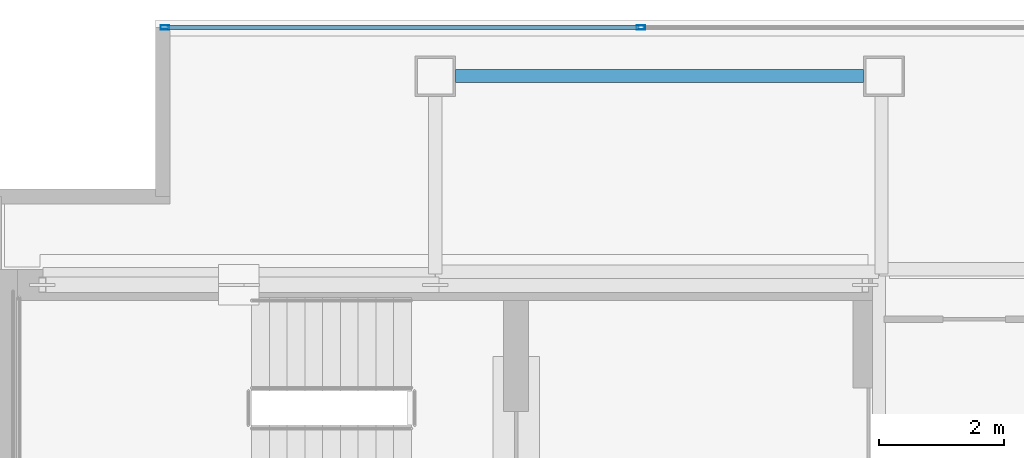
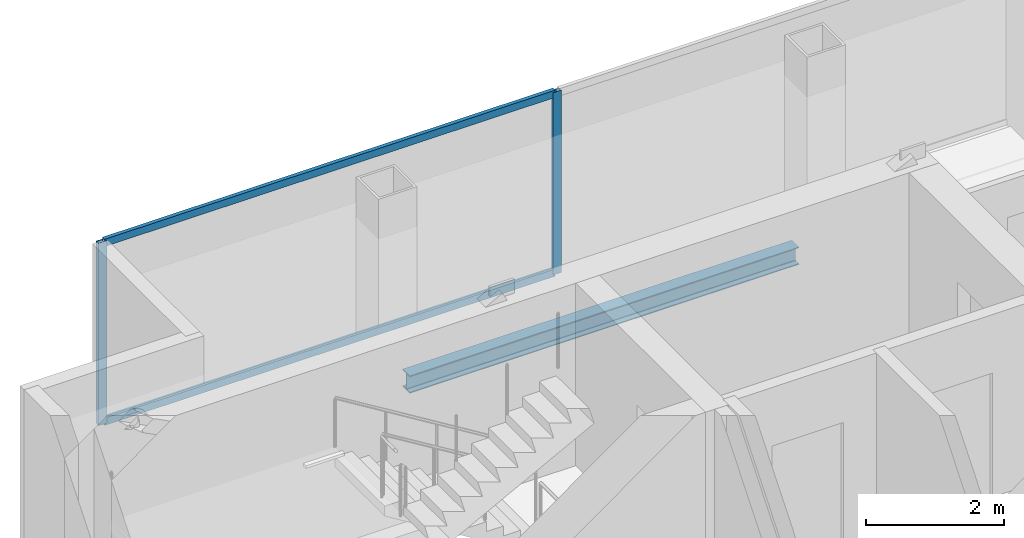
# One storey, part 17 of 23: 4 members, 1 beam, 1 element without a shape of its own.
"""IFC4 building model written with IfcOpenShell, lengths in metres."""

from ifc_helpers import new_model, si_unit, direction, frame, origin, origin_2d, place, context, subcontext, project, spatial, hollow_rectangle, i_section, extrude, material, material_profile, profile_set, type_object, element, aggregate, save


model = new_model("IFC4")

# Units and contexts
model_context = context("Model", 3, precision=1e-05, world=origin(), true_north=direction((0.0, 1.0)))
body_context = subcontext(model_context, "Body", "Model", "MODEL_VIEW")
ifc_project = project(units=[si_unit("LENGTHUNIT", "METRE"), si_unit("AREAUNIT", "SQUARE_METRE"), si_unit("VOLUMEUNIT", "CUBIC_METRE"), si_unit("PLANEANGLEUNIT", "RADIAN"), si_unit("MASSUNIT", "GRAM", prefix="KILO")], contexts=[model_context])

# Site, building, storey
site_placement = place(None, origin())
site = spatial("IfcSite", under=ifc_project, at=site_placement, CompositionType="ELEMENT")
building_placement = place(site_placement, origin())
building = spatial("IfcBuilding", under=site, at=building_placement, Name="Cobrela Telecom Tower", CompositionType="ELEMENT")
storey_placement = place(building_placement, frame((0.0, 0.0, 286.64990234375)))
storey = spatial("IfcBuildingStorey", under=building, at=storey_placement, Name="L75", CompositionType="ELEMENT", Elevation=286.64990234375)

# Beam
ifc_material_1 = material(Name="Steel ASTM A992 Grade 50", Category="steel")
ifc_material_profile_1 = material_profile(ifc_material_1, i_section(OverallWidth=0.205078125, OverallDepth=0.31005859375, WebThickness=0.009521484375, FlangeThickness=0.016357421875, FilletRadius=0.010986328125, at=origin_2d()), Name="W12X50")
ifc_profile_set_1 = profile_set([ifc_material_profile_1], Name="Steel ASTM A992 Grade 50")
beam_type = type_object("IfcBeamType", Name="BM-SPAND-07", PredefinedType="SPANDREL", material=ifc_profile_set_1)
beam_placement = place(storey_placement, frame((7.530029296875, 39.10009765625, -0.414794921875), z_axis=(1.0, 0.0, 0.0), x_axis=(0.0, 1.0, 0.0)))
element("IfcBeam", 1, at=beam_placement, inside=storey, type_object=beam_type, Name="L75 Perimeter Spandrel X19", PredefinedType="SPANDREL", context=body_context, shape_type="SweptSolid", body=[
    extrude(i_section(OverallWidth=0.205078125, OverallDepth=0.31005859375, WebThickness=0.009521484375, FlangeThickness=0.016357421875, FilletRadius=0.010986328125, at=origin_2d()), origin(), (0.0, 0.0, 1.0), 6.5400390625),
])

# Curtain wall, members
ifc_material_2 = material(Name="Anodized Bronze Aluminium 6063-T6", Category="aluminium")
curtain_wall_type = type_object("IfcCurtainWallType", Name="CW-SYS-OFF-HI", PredefinedType="USERDEFINED", material=ifc_material_2)
curtain_wall_placement = place(storey_placement, origin())
curtain_wall = element("IfcCurtainWall", 2, at=curtain_wall_placement, inside=storey, type_object=curtain_wall_type, Name="L75 Unitised Bronze Curtain Wall 05", ObjectType="UNITISED CURTAIN WALL", PredefinedType="USERDEFINED")
ifc_material_profile_2 = material_profile(ifc_material_2, hollow_rectangle(XDim=0.070068359375, YDim=0.139892578125, WallThickness=0.00390625, at=origin_2d()), Name="ALU 70x140x4")
ifc_profile_set_2 = profile_set([ifc_material_profile_2], Name="Anodized Bronze Aluminium 6063-T6")
member_type_1 = type_object("IfcMemberType", Name="CW-SYS-OFF-HI-MUL", PredefinedType="MULLION", material=ifc_profile_set_2)
member_1_placement = place(storey_placement, frame((2.864990234375, 39.8798828125, 0.0), z_axis=(0.0, 0.0, 1.0), x_axis=(0.0, 1.0, 0.0)))
member_1 = element("IfcMember", 3, at=member_1_placement, type_object=member_type_1, Name="CW-OFF-HI mullion 1", PredefinedType="MULLION", context=body_context, shape_type="SweptSolid", body=[
    extrude(hollow_rectangle(XDim=0.070068359375, YDim=0.139892578125, WallThickness=0.00390625, at=origin_2d()), origin(), (0.0, 0.0, 1.0), 3.239990234375),
])
member_2_placement = place(storey_placement, frame((10.5, 39.8798828125, 0.0), z_axis=(0.0, 0.0, 1.0), x_axis=(0.0, 1.0, 0.0)))
member_2 = element("IfcMember", 4, at=member_2_placement, type_object=member_type_1, Name="CW-OFF-HI mullion 2", PredefinedType="MULLION", context=body_context, shape_type="SweptSolid", body=[
    extrude(hollow_rectangle(XDim=0.070068359375, YDim=0.139892578125, WallThickness=0.00390625, at=origin_2d()), origin(), (0.0, 0.0, 1.0), 3.239990234375),
])
ifc_material_profile_3 = material_profile(ifc_material_2, hollow_rectangle(XDim=0.06494140625, YDim=0.1298828125, WallThickness=0.00390625, at=origin_2d()), Name="ALU 65x130x4")
ifc_profile_set_3 = profile_set([ifc_material_profile_3], Name="Anodized Bronze Aluminium 6063-T6")
member_type_2 = type_object("IfcMemberType", Name="CW-SYS-OFF-HI-TRN", PredefinedType="USERDEFINED", material=ifc_profile_set_3)
member_3_placement = place(storey_placement, frame((2.89990234375, 39.8798828125, 0.03271484375), z_axis=(1.0, 0.0, 0.0), x_axis=(0.0, 1.0, 0.0)))
member_3 = element("IfcMember", 5, at=member_3_placement, type_object=member_type_2, Name="CW-OFF-HI transom 1.1", ObjectType="TRANSOM", PredefinedType="USERDEFINED", context=body_context, shape_type="SweptSolid", body=[
    extrude(hollow_rectangle(XDim=0.06494140625, YDim=0.1298828125, WallThickness=0.00390625, at=origin_2d()), origin(), (0.0, 0.0, 1.0), 7.565185546875),
])
member_4_placement = place(storey_placement, frame((2.89990234375, 39.8798828125, 3.20751953125), z_axis=(1.0, 0.0, 0.0), x_axis=(0.0, 1.0, 0.0)))
member_4 = element("IfcMember", 6, at=member_4_placement, type_object=member_type_2, Name="CW-OFF-HI transom 1.2", ObjectType="TRANSOM", PredefinedType="USERDEFINED", context=body_context, shape_type="SweptSolid", body=[
    extrude(hollow_rectangle(XDim=0.06494140625, YDim=0.1298828125, WallThickness=0.00390625, at=origin_2d()), origin(), (0.0, 0.0, 1.0), 7.565185546875),
])
aggregate(curtain_wall, [member_1, member_2, member_3, member_4])

save(model, "model.ifc")
